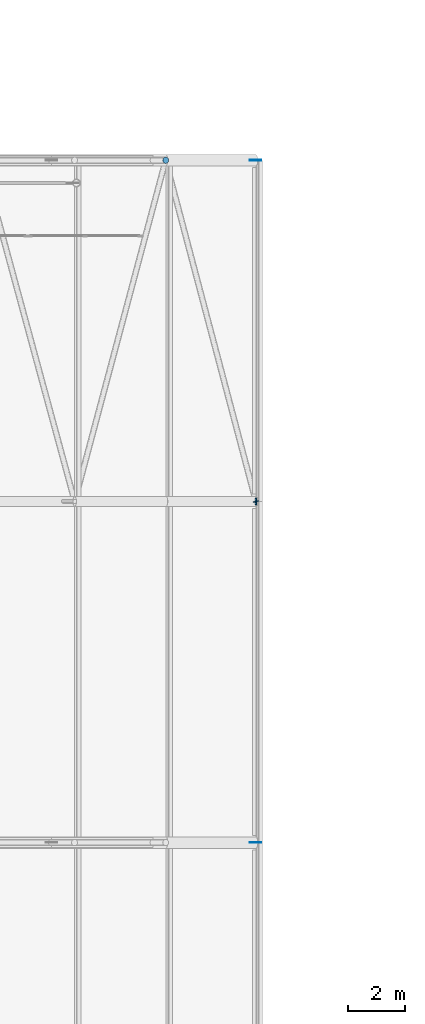
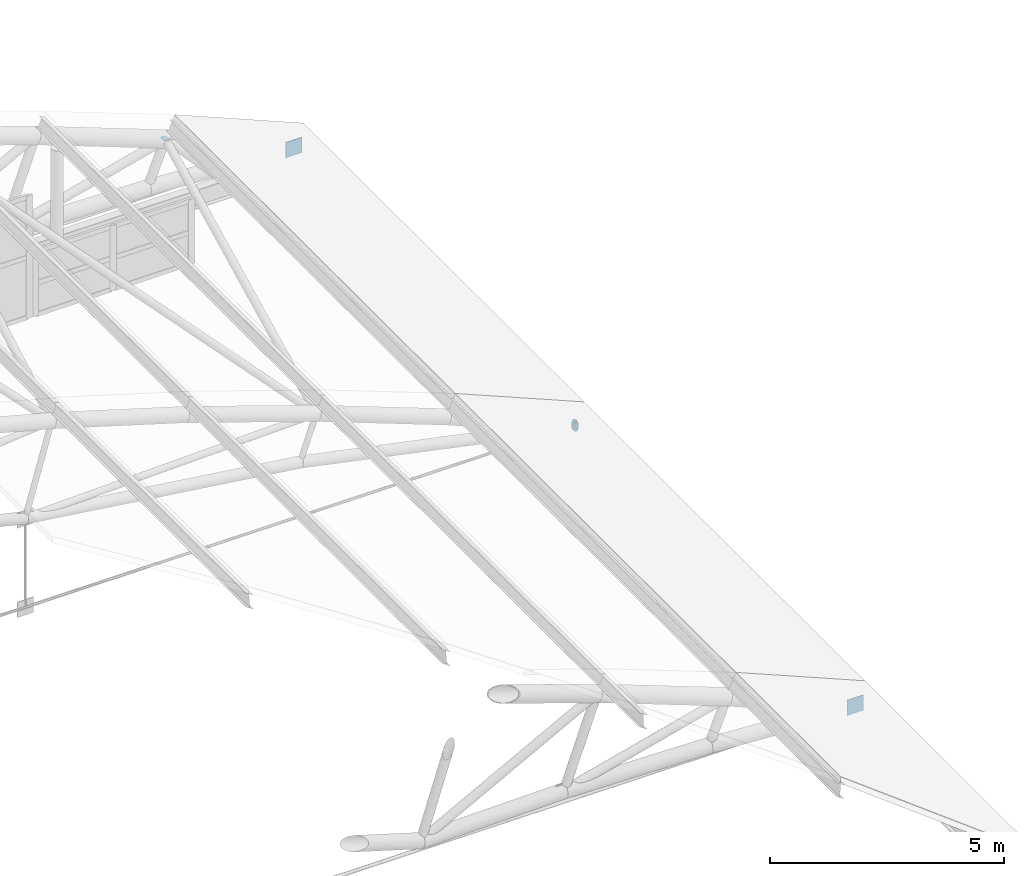
# One storey, part 303 of 321: 5 discrete accessories.
"""IFC4 building model written with IfcOpenShell, lengths in metres."""

import ifcopenshell
import ifcopenshell.guid

model = None  # the IFC model being written
_history = None  # IfcOwnerHistory: only IFC2X3 demands one
_inside = {}  # id of a spatial element -> (the spatial element, [elements in it])
_under = {}  # id of a project, library or spatial element -> (it, [spatial elements below it])
_declared = {}  # id of a project -> (the project, [libraries it declares])
_typed = {}  # id of a type object -> (the type object, [elements of that type])
_made_of = {}  # id of a material, layer set ... -> (it, [elements and type objects made of it])


def new_model(schema):
    """Start an empty IFC model of exactly this schema.

    Asked for "IFC4X3", IfcOpenShell would pick the latest addendum, in which some entities
    have other attributes; the version numbers below select the first issue.
    IFC2X3 requires an IfcOwnerHistory on every rooted entity: one is made here for all.
    """
    global model, _history
    if schema == "IFC4X3":
        model = ifcopenshell.file(schema_version=(4, 3, 0, 0))
    else:
        model = ifcopenshell.file(schema=schema)
    _inside.clear()
    _under.clear()
    _declared.clear()
    _typed.clear()
    _made_of.clear()
    _history = None
    if model.schema == "IFC2X3":
        org = make("IfcOrganization", Name="unknown")
        user = make(
            "IfcPersonAndOrganization",
            ThePerson=make("IfcPerson", FamilyName="unknown"),
            TheOrganization=org,
        )
        app = make(
            "IfcApplication",
            ApplicationDeveloper=org,
            Version="unknown",
            ApplicationFullName="unknown",
            ApplicationIdentifier="unknown",
        )
        _history = make(
            "IfcOwnerHistory",
            OwningUser=user,
            OwningApplication=app,
            ChangeAction="ADDED",
            CreationDate=0,
        )
    return model


def make(cls, **values):
    """One entity of the class cls with the attributes given. An attribute that is None is left unset."""
    return model.create_entity(
        cls, **{name: value for name, value in values.items() if value is not None}
    )


def rooted(cls, **values):
    """An entity with a GlobalId (a new one), such as an element, a storey or a relation."""
    return make(cls, GlobalId=ifcopenshell.guid.new(), OwnerHistory=_history, **values)


def si_unit(unit_type, name, prefix=None):
    """IfcSIUnit, for example si_unit("LENGTHUNIT", "METRE", prefix="MILLI")."""
    return make("IfcSIUnit", UnitType=unit_type, Prefix=prefix, Name=name)


def assignment(units):
    """IfcUnitAssignment: the units of a project."""
    return None if units is None else make("IfcUnitAssignment", Units=units)


def point(xyz):
    """IfcCartesianPoint."""
    return None if xyz is None else make("IfcCartesianPoint", Coordinates=xyz)


def direction(xyz):
    """IfcDirection."""
    return None if xyz is None else make("IfcDirection", DirectionRatios=xyz)


def frame(location, z_axis=None, x_axis=None):
    """IfcAxis2Placement3D, a coordinate frame: its origin and axes. An axis left out is left unset."""
    return make(
        "IfcAxis2Placement3D",
        Location=point(location),
        Axis=direction(z_axis),
        RefDirection=direction(x_axis),
    )


def frame_2d(location, x_axis=None):
    """IfcAxis2Placement2D, a coordinate frame in the plane: its origin and x axis."""
    return make(
        "IfcAxis2Placement2D", Location=point(location), RefDirection=direction(x_axis)
    )


def origin():
    """The frame at (0, 0, 0) with its axes left unset."""
    return frame((0.0, 0.0, 0.0))


def origin_2d():
    """The frame at (0, 0) in the plane with its x axis left unset."""
    return frame_2d((0.0, 0.0))


def place(relative_to, where):
    """IfcLocalPlacement: puts the frame where relative to a parent placement (None: the world)."""
    return make(
        "IfcLocalPlacement", PlacementRelTo=relative_to, RelativePlacement=where
    )


def context(
    kind, dimensions, precision=None, world=None, true_north=None, identifier=None
):
    """IfcGeometricRepresentationContext, for example the 3D "Model" context."""
    return make(
        "IfcGeometricRepresentationContext",
        ContextIdentifier=identifier,
        ContextType=kind,
        CoordinateSpaceDimension=dimensions,
        Precision=precision,
        WorldCoordinateSystem=world,
        TrueNorth=true_north,
    )


def subcontext(parent, identifier, kind, view, scale=None):
    """IfcGeometricRepresentationSubContext, for example "Body" below "Model"."""
    return make(
        "IfcGeometricRepresentationSubContext",
        ContextIdentifier=identifier,
        ContextType=kind,
        ParentContext=parent,
        TargetScale=scale,
        TargetView=view,
    )


def project(units=None, contexts=None):
    """IfcProject with its units and contexts."""
    return rooted(
        "IfcProject",
        Name="project",
        RepresentationContexts=contexts,
        UnitsInContext=assignment(units),
    )


def spatial(cls, under=None, at=None, **own):
    """A site, building, storey or space (cls), placed at a placement, below another one or the project."""
    s = rooted(cls, ObjectPlacement=at, **own)
    if under is not None:
        _under.setdefault(under.id(), (under, []))[1].append(s)
    return s


def profile(cls, at=None, kind="AREA", **sizes):
    """A parametric profile (cls). Its sizes go by their IFC names, for example OverallWidth=200.0."""
    return make(cls, ProfileType=kind, Position=at, **sizes)


def rectangle(**sizes):
    """IfcRectangleProfileDef."""
    return profile("IfcRectangleProfileDef", **sizes)


def circle(**sizes):
    """IfcCircleProfileDef."""
    return profile("IfcCircleProfileDef", **sizes)


def extrude(swept, where, along, depth):
    """IfcExtrudedAreaSolid: the profile swept, set in the frame where, extruded along a direction by depth."""
    return make(
        "IfcExtrudedAreaSolid",
        SweptArea=swept,
        Position=where,
        ExtrudedDirection=direction(along),
        Depth=depth,
    )


def shape(context_of_items, identifier, shape_type, items):
    """IfcShapeRepresentation: the items that make up one representation, for example the "Body"."""
    return make(
        "IfcShapeRepresentation",
        ContextOfItems=context_of_items,
        RepresentationIdentifier=identifier,
        RepresentationType=shape_type,
        Items=items,
    )


def material(Name=None, Category=None):
    """IfcMaterial."""
    return make("IfcMaterial", Name=Name, Category=Category)


def material_profile(
    of_material, cross_section, Name=None, Category=None, Priority=None
):
    """IfcMaterialProfile: a cross section and its material."""
    return make(
        "IfcMaterialProfile",
        Name=Name,
        Material=of_material,
        Profile=cross_section,
        Priority=Priority,
        Category=Category,
    )


def profile_set(profiles, Name=None, composite=None):
    """IfcMaterialProfileSet."""
    return make(
        "IfcMaterialProfileSet",
        Name=Name,
        MaterialProfiles=profiles,
        CompositeProfile=composite,
    )


def made_of(thing, what):
    """Note that an element or type object is made of a material, layer set ...; save() writes the relation."""
    if what is not None:
        _made_of.setdefault(what.id(), (what, []))[1].append(thing)
    return thing


def type_object(cls, material=None, **own):
    """A type object (cls), such as IfcWallType, which elements share."""
    return made_of(rooted(cls, **own), material)


def element(
    cls,
    number,
    at=None,
    inside=None,
    cuts=None,
    type_object=None,
    material=None,
    context=None,
    identifier="Body",
    shape_type=None,
    held_by="IfcProductDefinitionShape",
    body=None,
    shapes=None,
    **own,
):
    """One element of the class cls, such as IfcWall. Its Tag is "e" and its number.

    at: its placement. inside: the storey or other place that contains it. cuts: it is an
    opening in that element (IfcRelVoidsElement). A single representation is given by context,
    identifier, shape_type and body (its items); several are given by shapes. held_by: the class
    of the entity that holds the representations. save() writes the other relations.
    """
    e = rooted(cls, Tag="e%d" % number, ObjectPlacement=at, **own)
    if body is not None:
        shapes = [shape(context, identifier, shape_type, body)]
    if shapes is not None:
        e.Representation = make(held_by, Representations=shapes)
    if inside is not None:
        _inside.setdefault(inside.id(), (inside, []))[1].append(e)
    if cuts is not None:
        rooted(
            "IfcRelVoidsElement", RelatingBuildingElement=cuts, RelatedOpeningElement=e
        )
    if type_object is not None:
        _typed.setdefault(type_object.id(), (type_object, []))[1].append(e)
    return made_of(e, material)


def aggregate(whole, parts):
    """IfcRelAggregates: a whole, such as a stair, and the parts it consists of."""
    return rooted("IfcRelAggregates", RelatingObject=whole, RelatedObjects=parts)


def save(model, path):
    """Write the relations noted so far, then the file.

    IfcRelAggregates (storeys below a building ...), IfcRelContainedInSpatialStructure (elements
    in a storey), IfcRelDefinesByType, IfcRelAssociatesMaterial and IfcRelDeclares: one each for
    every whole, place, type object, material and project.
    """
    for whole, parts in _under.values():
        aggregate(whole, parts)
    for where, things in _inside.values():
        rooted(
            "IfcRelContainedInSpatialStructure",
            RelatedElements=things,
            RelatingStructure=where,
        )
    for kind, things in _typed.values():
        rooted("IfcRelDefinesByType", RelatedObjects=things, RelatingType=kind)
    for what, things in _made_of.values():
        rooted("IfcRelAssociatesMaterial", RelatedObjects=things, RelatingMaterial=what)
    for by, libraries in _declared.values():
        rooted("IfcRelDeclares", RelatingContext=by, RelatedDefinitions=libraries)
    model.write(path)


model = new_model("IFC4")

# Units and contexts
model_context = context("Model", 3, precision=1e-05, world=origin(), true_north=direction((0.0, 1.0)))
body_context = subcontext(model_context, "Body", "Model", "MODEL_VIEW")
ifc_project = project(units=[si_unit("LENGTHUNIT", "METRE"), si_unit("AREAUNIT", "SQUARE_METRE"), si_unit("VOLUMEUNIT", "CUBIC_METRE"), si_unit("PLANEANGLEUNIT", "RADIAN"), si_unit("MASSUNIT", "GRAM", prefix="KILO")], contexts=[model_context])

# Site, building, storey
site_placement = place(None, origin())
site = spatial("IfcSite", under=ifc_project, at=site_placement, CompositionType="ELEMENT")
building_placement = place(site_placement, origin())
building = spatial("IfcBuilding", under=site, at=building_placement, Name="Ravi Spectrum Wholesale Market", CompositionType="ELEMENT")
storey_placement = place(building_placement, frame((0.0, 0.0, 10.800048828125)))
storey = spatial("IfcBuildingStorey", under=building, at=storey_placement, Name="L02", CompositionType="ELEMENT", Elevation=10.800048828125)

# Discrete accessories
ifc_material_1 = material(Name="Steel S355", Category="steel")
ifc_material_profile_1 = material_profile(ifc_material_1, circle(Radius=0.096923828125, at=origin_2d()))
ifc_profile_set_1 = profile_set([ifc_material_profile_1], Name="Steel S355")
discrete_accessory_type_1 = type_object("IfcDiscreteAccessoryType", Name="End plate CHS 193.7x6.3", PredefinedType="BRACKET", material=ifc_profile_set_1)
discrete_accessory_1_placement = place(storey_placement, frame((110.01025390625, 186.0, 0.023193359375), z_axis=(0.246079434959, -0.963811120254, -0.102533097899), x_axis=(0.968917710624, 0.247383245266, 0.0)))
element("IfcDiscreteAccessory", 1, at=discrete_accessory_1_placement, inside=storey, type_object=discrete_accessory_type_1, Name="End plate", PredefinedType="BRACKET", context=body_context, shape_type="SweptSolid", body=[
    extrude(circle(Radius=0.096923828125, at=origin_2d()), origin(), (0.0, 0.0, 1.0), 0.011962890625),
])
ifc_material_2 = material(Name="Steel S355", Category="steel")
ifc_material_profile_2 = material_profile(ifc_material_2, circle(Radius=0.109619140625, at=origin_2d()))
ifc_profile_set_2 = profile_set([ifc_material_profile_2], Name="Steel S355")
discrete_accessory_type_2 = type_object("IfcDiscreteAccessoryType", Name="End plate CHS 219.1x8", PredefinedType="BRACKET", material=ifc_profile_set_2)
discrete_accessory_2_placement = place(storey_placement, frame((106.836181640625, 198.0, 1.325439453125), z_axis=(0.364399348581, 0.0, 0.931242779706), x_axis=(0.0, 1.0, 0.0)))
element("IfcDiscreteAccessory", 2, at=discrete_accessory_2_placement, inside=storey, type_object=discrete_accessory_type_2, Name="End plate", PredefinedType="BRACKET", context=body_context, shape_type="SweptSolid", body=[
    extrude(circle(Radius=0.109619140625, at=origin_2d()), origin(), (0.0, 0.0, 1.0), 0.011962890625),
])
ifc_material_3 = material(Name="Steel S355", Category="steel")
ifc_material_profile_3 = material_profile(ifc_material_3, circle(Radius=0.136474609375, at=origin_2d()))
ifc_profile_set_3 = profile_set([ifc_material_profile_3], Name="Steel S355")
discrete_accessory_type_3 = type_object("IfcDiscreteAccessoryType", Name="End plate CHS 273x10", PredefinedType="BRACKET", material=ifc_profile_set_3)
discrete_accessory_3_placement = place(storey_placement, frame((110.01025390625, 186.0, 0.023193359375), z_axis=(0.978980419738, 0.0, -0.203954254112), x_axis=(0.0, 1.0, 0.0)))
element("IfcDiscreteAccessory", 3, at=discrete_accessory_3_placement, inside=storey, type_object=discrete_accessory_type_3, Name="End plate", PredefinedType="BRACKET", context=body_context, shape_type="SweptSolid", body=[
    extrude(circle(Radius=0.136474609375, at=origin_2d()), origin(), (0.0, 0.0, 1.0), 0.011962890625),
])
ifc_material_4 = material(Name="Steel S355", Category="steel")
ifc_material_profile_4 = material_profile(ifc_material_4, rectangle(XDim=0.39990234375, YDim=0.02001953125, at=origin_2d()))
ifc_profile_set_4 = profile_set([ifc_material_profile_4], Name="Steel S355")
discrete_accessory_type_4 = type_object("IfcDiscreteAccessoryType", Name="Gusset plate 400x400x20", PredefinedType="BRACKET", material=ifc_profile_set_4)
for number, where, z_axis, x_axis, name in (
    (4, (110.0, 174.0, -0.199951171875), (0.0, 0.0, 1.0), (1.0, 0.0, 0.0), "Gusset plate"),
    (5, (110.0, 198.0, -0.199951171875), (0.0, 0.0, 1.0), (1.0, 0.0, 0.0), "Gusset plate"),
):
    element("IfcDiscreteAccessory", number, at=place(storey_placement, frame(where, z_axis=z_axis, x_axis=x_axis)), inside=storey, type_object=discrete_accessory_type_4, Name=name, PredefinedType="BRACKET", context=body_context, shape_type="SweptSolid", body=[
        extrude(rectangle(XDim=0.39990234375, YDim=0.02001953125, at=origin_2d()), origin(), (0.0, 0.0, 1.0), 0.39990234375),
    ])

save(model, "model.ifc")
